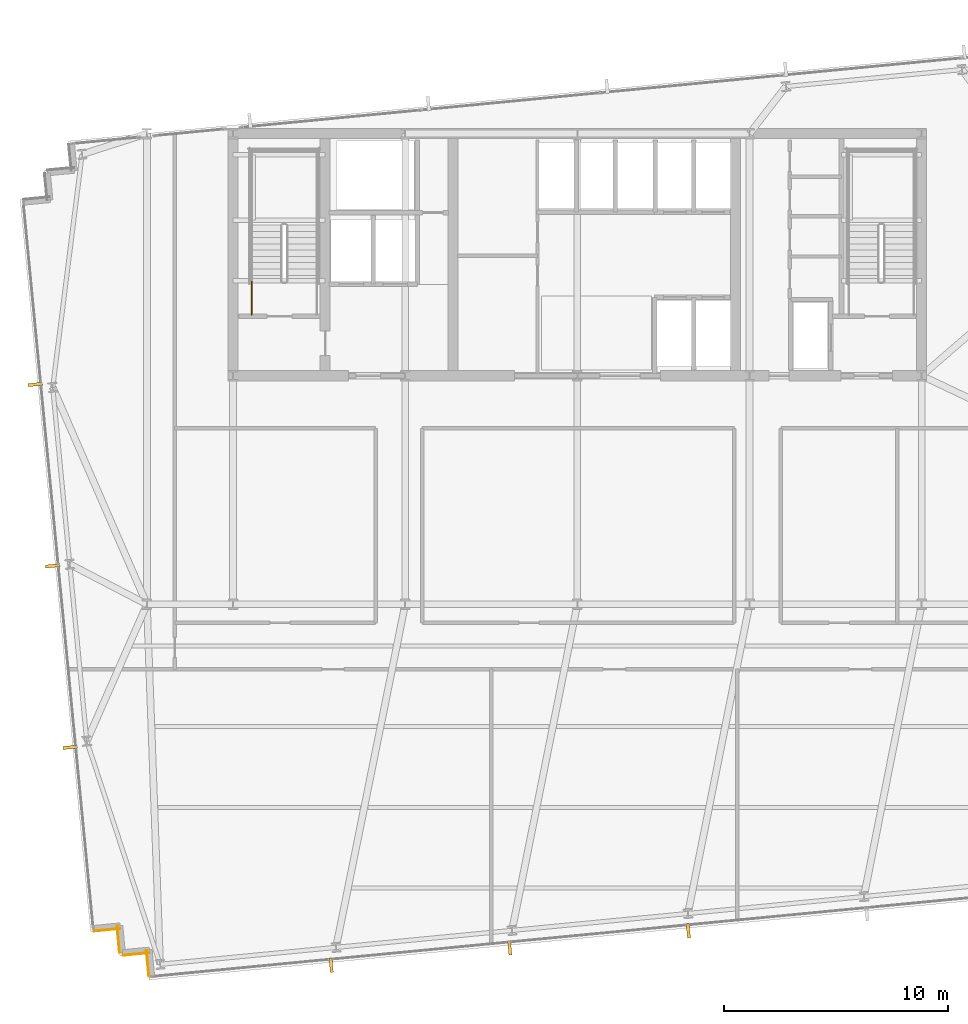
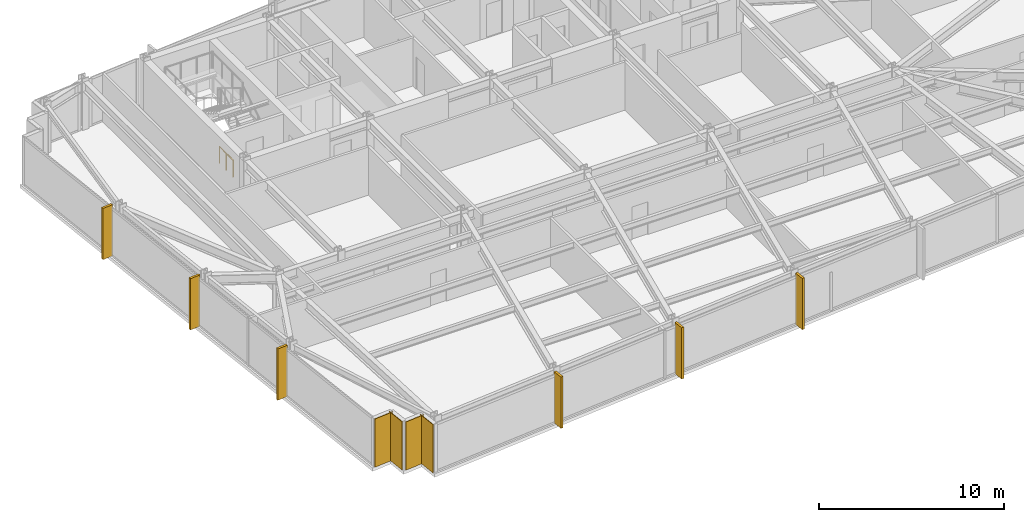
# One storey, part 27 of 32: 6 shading devices, 4 coverings, 1 railing.
"""IFC4 building model written with IfcOpenShell, lengths in metres."""

from ifc_helpers import new_model, si_unit, direction, frame, frame_2d, origin, origin_2d, place, context, subcontext, project, spatial, rectangle, circle, extrude, material, layer, layer_set, type_object, element, save


model = new_model("IFC4")

# Units and contexts
model_context = context("Model", 3, precision=1e-05, world=origin(), true_north=direction((0.0, 1.0)))
body_context = subcontext(model_context, "Body", "Model", "MODEL_VIEW")
ifc_project = project(units=[si_unit("LENGTHUNIT", "METRE"), si_unit("AREAUNIT", "SQUARE_METRE"), si_unit("VOLUMEUNIT", "CUBIC_METRE"), si_unit("PLANEANGLEUNIT", "RADIAN"), si_unit("MASSUNIT", "GRAM", prefix="KILO")], contexts=[model_context])

# Site, building, storey
site_placement = place(None, origin())
site = spatial("IfcSite", under=ifc_project, at=site_placement, CompositionType="ELEMENT")
building_placement = place(site_placement, origin())
building = spatial("IfcBuilding", under=site, at=building_placement, Name="Yelkora Congress Tower", CompositionType="ELEMENT")
storey_placement = place(building_placement, frame((0.0, 0.0, 96.5)))
storey = spatial("IfcBuildingStorey", under=building, at=storey_placement, Name="L25", CompositionType="ELEMENT", Elevation=96.5)

# Coverings
ifc_material_1 = material(Name="Anatolian bush-hammered limestone", Category="masonry")
ifc_layer_1 = layer(ifc_material_1, 0.0400390625)
ifc_layer_set_1 = layer_set([ifc_layer_1], Name="Anatolian bush-hammered limestone")
covering_type = type_object("IfcCoveringType", Name="COV-CLAD-SPANDREL-40", PredefinedType="CLADDING", material=ifc_layer_set_1)
covering_1_placement = place(storey_placement, frame((19.29248046875, 8.58447265625, 0.0), z_axis=(0.0, 0.0, 1.0), x_axis=(-0.095836473879, 0.995397091755, 0.0)))
element("IfcCovering", 1, at=covering_1_placement, inside=storey, type_object=covering_type, Name="L25 Anatolian Limestone Cladding EW-L25-SR01", PredefinedType="CLADDING", context=body_context, shape_type="SweptSolid", body=[
    extrude(rectangle(XDim=1.199951171875, YDim=0.0400390625, at=frame_2d((0.60009765625, 0.0))), origin(), (0.0, 0.0, 1.0), 3.179931640625),
])
for number, where, z_axis, x_axis, name in (
    (2, (19.32470703125, 9.657470703125, 0.0), (0.0, 0.0, 1.0), (-0.995398960025, -0.095817067274, 0.0), "L25 Anatolian Limestone Cladding EW-L25-SR02"),
    (3, (17.98291015625, 9.663818359375, 0.0), (0.0, 0.0, 1.0), (-0.095817067274, 0.995398960025, 0.0), "L25 Anatolian Limestone Cladding EW-L25-SR03"),
):
    element("IfcCovering", number, at=place(storey_placement, frame(where, z_axis=z_axis, x_axis=x_axis)), inside=storey, type_object=covering_type, Name=name, PredefinedType="CLADDING", context=body_context, shape_type="SweptSolid", body=[
        extrude(rectangle(XDim=1.2001953125, YDim=0.0400390625, at=frame_2d((0.60009765625, 0.0))), origin(), (0.0, 0.0, 1.0), 3.179931640625),
    ])
covering_2_placement = place(storey_placement, frame((18.01513671875, 10.737060546875, 0.0), z_axis=(0.0, 0.0, 1.0), x_axis=(-0.995397091755, -0.095836473879, 0.0)))
element("IfcCovering", 4, at=covering_2_placement, inside=storey, type_object=covering_type, Name="L25 Anatolian Limestone Cladding EW-L25-SR04", PredefinedType="CLADDING", context=body_context, shape_type="SweptSolid", body=[
    extrude(rectangle(XDim=1.199951171875, YDim=0.0400390625, at=frame_2d((0.60009765625, 0.0))), origin(), (0.0, 0.0, 1.0), 3.179931640625),
])

# Railing
ifc_material_2 = material(Name="Painted galvanised steel stair well guard with vertical infill", Category="steel")
ifc_layer_2 = layer(ifc_material_2, 0.06005859375)
ifc_layer_set_2 = layer_set([ifc_layer_2], Name="Painted galvanised steel stair well guard with vertical infill")
railing_type = type_object("IfcRailingType", Name="RAIL-STAIR-GUARD-1120", PredefinedType="GUARDRAIL", material=ifc_layer_set_2)
railing_placement = place(storey_placement, frame((23.8701171875, 38.1201171875, 0.0)))
element("IfcRailing", 5, at=railing_placement, inside=storey, type_object=railing_type, Name="ST-01 L25 Stair Well Guardrail 9", PredefinedType="GUARDRAIL", context=body_context, shape_type="SweptSolid", body=[
    extrude(circle(Radius=0.02392578125, at=origin_2d()), frame((0.0, 0.0, 1.09619140625), z_axis=(0.0, 1.0, 0.0), x_axis=(-1.0, 0.0, 0.0)), (0.0, 0.0, 1.0), 1.47998046875),
    extrude(circle(Radius=0.02099609375, at=origin_2d()), origin(), (0.0, 0.0, 1.0), 1.072021484375),
    extrude(circle(Radius=0.02099609375, at=origin_2d()), frame((0.0, 0.739990234375, 0.0)), (0.0, 0.0, 1.0), 1.072021484375),
    extrude(circle(Radius=0.02099609375, at=origin_2d()), frame((0.0, 1.47998046875, 0.0)), (0.0, 0.0, 1.0), 1.072021484375),
])

# Shading devices
ifc_material_3 = material(Name="Champagne anodised aluminium", Category="aluminium")
ifc_layer_3 = layer(ifc_material_3, 3.39990234375)
ifc_layer_set_3 = layer_set([ifc_layer_3], Name="Champagne anodised aluminium")
shading_device_type = type_object("IfcShadingDeviceType", Name="SHD-FIN-ALU-640", PredefinedType="USERDEFINED", material=ifc_layer_set_3)
for number, where, z_axis, x_axis, name in (
    (6, (15.769775390625, 18.823974609375, -0.030029296875), (0.0, 0.0, 1.0), (-0.09584575252, 0.995396198367, 0.0), "L25 Vertical Anodised Solar Fin 5-1"),
    (7, (14.990478515625, 26.91650390625, -0.030029296875), (0.0, 0.0, 1.0), (-0.09584575252, 0.995396198367, 0.0), "L25 Vertical Anodised Solar Fin 5-2"),
    (8, (14.211181640625, 35.00927734375, -0.030029296875), (0.0, 0.0, 1.0), (-0.09584575252, 0.995396198367, 0.0), "L25 Vertical Anodised Solar Fin 5-3"),
    (9, (43.349609375, 10.639892578125, -0.030029296875), (0.0, 0.0, 1.0), (-0.995396198367, -0.09584575252, 0.0), "L25 Vertical Anodised Solar Fin 20-4"),
    (10, (35.3837890625, 9.872802734375, -0.030029296875), (0.0, 0.0, 1.0), (-0.995396198367, -0.09584575252, 0.0), "L25 Vertical Anodised Solar Fin 20-5"),
    (11, (27.417724609375, 9.105712890625, -0.030029296875), (0.0, 0.0, 1.0), (-0.995396198367, -0.09584575252, 0.0), "L25 Vertical Anodised Solar Fin 20-6"),
):
    element("IfcShadingDevice", number, at=place(storey_placement, frame(where, z_axis=z_axis, x_axis=x_axis)), inside=storey, type_object=shading_device_type, Name=name, ObjectType="FIN", PredefinedType="USERDEFINED", context=body_context, shape_type="SweptSolid", body=[
        extrude(rectangle(XDim=0.139892578125, YDim=0.639892578125, at=origin_2d()), origin(), (0.0, 0.0, 1.0), 3.3798828125),
    ])

save(model, "model.ifc")
